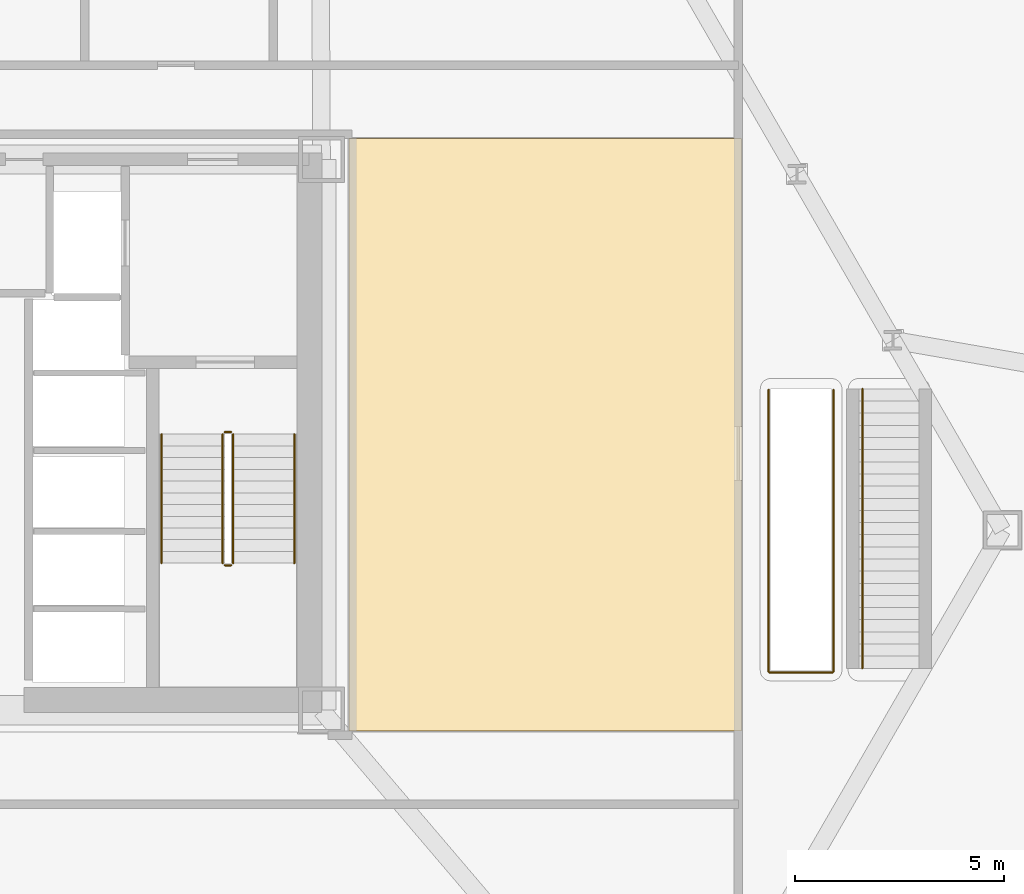
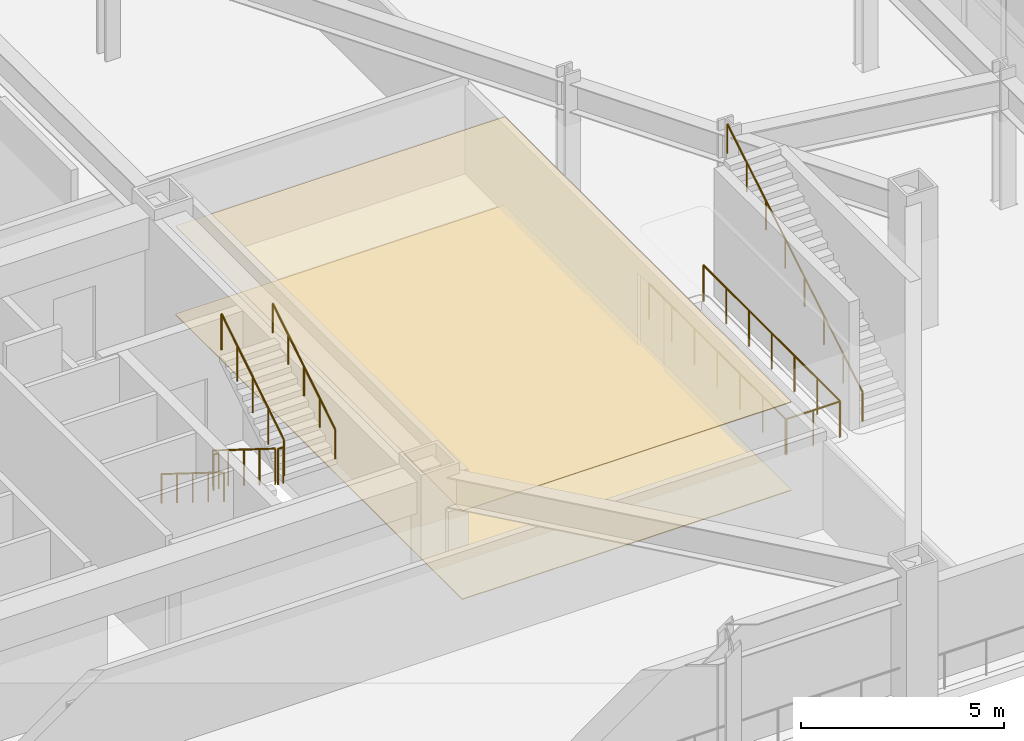
# One storey, part 20 of 22: 10 railings, 2 coverings.
"""IFC4 building model written with IfcOpenShell, lengths in metres."""

from ifc_helpers import new_model, si_unit, direction, frame, origin, origin_2d, place, context, subcontext, project, spatial, polyline, circle, outline, extrude, material, layer, layer_set, type_object, element, save


model = new_model("IFC4")

# Units and contexts
model_context = context("Model", 3, precision=1e-05, world=origin(), true_north=direction((0.0, 1.0)))
body_context = subcontext(model_context, "Body", "Model", "MODEL_VIEW")
ifc_project = project(units=[si_unit("LENGTHUNIT", "METRE"), si_unit("AREAUNIT", "SQUARE_METRE"), si_unit("VOLUMEUNIT", "CUBIC_METRE"), si_unit("PLANEANGLEUNIT", "RADIAN"), si_unit("MASSUNIT", "GRAM", prefix="KILO")], contexts=[model_context])

# Site, building, storey
site_placement = place(None, origin())
site = spatial("IfcSite", under=ifc_project, at=site_placement, CompositionType="ELEMENT")
building_placement = place(site_placement, origin())
building = spatial("IfcBuilding", under=site, at=building_placement, Name="Oramaril Tower", CompositionType="ELEMENT")
storey_placement = place(building_placement, frame((0.0, 0.0, 18.300048828125)))
storey = spatial("IfcBuildingStorey", under=building, at=storey_placement, Name="L04", CompositionType="ELEMENT", Elevation=18.300048828125)

# Coverings
ifc_material_1 = material(Name="Mineral Fibre Acoustic Ceiling")
ifc_layer_1 = layer(ifc_material_1, 0.02001953125)
ifc_layer_set_1 = layer_set([ifc_layer_1], Name="CVT-CEIL")
covering_type_1 = type_object("IfcCoveringType", Name="CVT-CEIL", PredefinedType="CEILING", material=ifc_layer_set_1)
covering_1_placement = place(storey_placement, frame((0.0, 0.0, 2.661865234375)))
element("IfcCovering", 1, at=covering_1_placement, inside=storey, type_object=covering_type_1, Name="L04 Acoustic Suspended Ceiling 4", PredefinedType="CEILING", context=body_context, shape_type="SweptSolid", body=[
    extrude(outline(polyline([(55.679931640625, 10.5), (46.300048828125, 10.5), (46.300048828125, 24.64990234375), (55.679931640625, 24.64990234375), (55.679931640625, 10.5)])), origin(), (0.0, 0.0, 1.0), 0.02001953125),
])
ifc_material_2 = material(Name="Honed Quartzite Stone Flooring", Category="masonry")
ifc_layer_2 = layer(ifc_material_2, 0.02490234375)
ifc_layer_set_2 = layer_set([ifc_layer_2], Name="CVT-FLR")
covering_type_2 = type_object("IfcCoveringType", Name="CVT-FLR", PredefinedType="FLOORING", material=ifc_layer_set_2)
covering_2_placement = place(storey_placement, origin())
element("IfcCovering", 2, at=covering_2_placement, inside=storey, type_object=covering_type_2, Name="L04 Honed Stone Floor Finish 4", PredefinedType="FLOORING", context=body_context, shape_type="SweptSolid", body=[
    extrude(outline(polyline([(55.679931640625, 10.5), (46.300048828125, 10.5), (46.300048828125, 24.64990234375), (55.679931640625, 24.64990234375), (55.679931640625, 10.5)])), origin(), (0.0, 0.0, 1.0), 0.02490234375),
])

# Railings
ifc_material_3 = material(Name="Stainless Steel 316L", Category="steel")
railing_type_1 = type_object("IfcRailingType", Name="RLT-GRD", PredefinedType="GUARDRAIL", material=ifc_material_3)
railing_1_placement = place(storey_placement, frame((43.2900390625, 17.590087890625, 0.175048828125)))
element("IfcRailing", 3, at=railing_1_placement, inside=storey, type_object=railing_type_1, Name="L04 ST-2 stair guard 1", PredefinedType="GUARDRAIL", context=body_context, shape_type="SweptSolid", body=[
    extrude(circle(Radius=0.02392578125, at=origin_2d()), frame((0.0, 0.0, 1.076171875), z_axis=(0.0, -0.848028513186, 0.529950602248), x_axis=(1.0, 0.0, 0.0)), (0.0, 0.0, 1.0), 3.632080078125),
    extrude(circle(Radius=0.02099609375, at=origin_2d()), origin(), (0.0, 0.0, 1.0), 1.052001953125),
    extrude(circle(Radius=0.02099609375, at=origin_2d()), frame((0.0, -0.77001953125, 0.481201171875)), (0.0, 0.0, 1.0), 1.052001953125),
    extrude(circle(Radius=0.02099609375, at=origin_2d()), frame((0.0, -1.5400390625, 0.96240234375)), (0.0, 0.0, 1.0), 1.052001953125),
    extrude(circle(Radius=0.02099609375, at=origin_2d()), frame((0.0, -2.31005859375, 1.443603515625)), (0.0, 0.0, 1.0), 1.052001953125),
    extrude(circle(Radius=0.02099609375, at=origin_2d()), frame((0.0, -3.080078125, 1.9248046875)), (0.0, 0.0, 1.0), 1.052001953125),
])
railing_2_placement = place(storey_placement, frame((43.340087890625, 14.4599609375, 2.099853515625)))
element("IfcRailing", 4, at=railing_2_placement, inside=storey, type_object=railing_type_1, Name="L04 ST-2 stair guard 2", PredefinedType="GUARDRAIL", context=body_context, shape_type="SweptSolid", body=[
    extrude(circle(Radius=0.02392578125, at=origin_2d()), frame((0.0, 0.0, 1.076171875), z_axis=(1.0, 0.0, 0.0), x_axis=(0.0, 1.0, 0.0)), (0.0, 0.0, 1.0), 0.14990234375),
    extrude(circle(Radius=0.02099609375, at=origin_2d()), origin(), (0.0, 0.0, 1.0), 1.052001953125),
    extrude(circle(Radius=0.02099609375, at=origin_2d()), frame((0.14990234375, 0.0, 0.0)), (0.0, 0.0, 1.0), 1.052001953125),
])
railing_3_placement = place(storey_placement, frame((43.5400390625, 14.510009765625, 2.27490234375)))
element("IfcRailing", 5, at=railing_3_placement, inside=storey, type_object=railing_type_1, Name="L04 ST-2 stair guard 3", PredefinedType="GUARDRAIL", context=body_context, shape_type="SweptSolid", body=[
    extrude(circle(Radius=0.02392578125, at=origin_2d()), frame((0.0, 0.0, 1.076171875), z_axis=(0.0, 0.847998304005, 0.529998940003), x_axis=(-1.0, 0.0, 0.0)), (0.0, 0.0, 1.0), 3.632080078125),
    extrude(circle(Radius=0.02099609375, at=origin_2d()), origin(), (0.0, 0.0, 1.0), 1.052001953125),
    extrude(circle(Radius=0.02099609375, at=origin_2d()), frame((0.0, 0.77001953125, 0.481201171875)), (0.0, 0.0, 1.0), 1.052001953125),
    extrude(circle(Radius=0.02099609375, at=origin_2d()), frame((0.0, 1.5400390625, 0.96240234375)), (0.0, 0.0, 1.0), 1.052001953125),
    extrude(circle(Radius=0.02099609375, at=origin_2d()), frame((0.0, 2.31005859375, 1.44384765625)), (0.0, 0.0, 1.0), 1.052001953125),
    extrude(circle(Radius=0.02099609375, at=origin_2d()), frame((0.0, 3.080078125, 1.925048828125)), (0.0, 0.0, 1.0), 1.052001953125),
])
railing_4_placement = place(storey_placement, frame((43.340087890625, 17.639892578125, 0.0)))
element("IfcRailing", 6, at=railing_4_placement, inside=storey, type_object=railing_type_1, Name="L04 ST-2 stair guard 4", PredefinedType="GUARDRAIL", context=body_context, shape_type="SweptSolid", body=[
    extrude(circle(Radius=0.02392578125, at=origin_2d()), frame((0.0, 0.0, 1.076171875), z_axis=(1.0, 0.0, 0.0), x_axis=(0.0, 1.0, 0.0)), (0.0, 0.0, 1.0), 0.14990234375),
    extrude(circle(Radius=0.02099609375, at=origin_2d()), origin(), (0.0, 0.0, 1.0), 1.052001953125),
    extrude(circle(Radius=0.02099609375, at=origin_2d()), frame((0.14990234375, 0.0, 0.0)), (0.0, 0.0, 1.0), 1.052001953125),
])
railing_5_placement = place(storey_placement, frame((56.324951171875, 18.6494140625, 0.0)))
element("IfcRailing", 7, at=railing_5_placement, inside=storey, type_object=railing_type_1, Name="L04 ST-6 Well Guard 1", PredefinedType="GUARDRAIL", context=body_context, shape_type="SweptSolid", body=[
    extrude(circle(Radius=0.02392578125, at=origin_2d()), frame((0.0, 0.0, 1.076171875), z_axis=(0.0, -1.0, 0.0), x_axis=(1.0, 0.0, 0.0)), (0.0, 0.0, 1.0), 6.7294921875),
    extrude(circle(Radius=0.02099609375, at=origin_2d()), origin(), (0.0, 0.0, 1.0), 1.052001953125),
    extrude(circle(Radius=0.02099609375, at=origin_2d()), frame((0.0, -1.12158203125, 0.0)), (0.0, 0.0, 1.0), 1.052001953125),
    extrude(circle(Radius=0.02099609375, at=origin_2d()), frame((0.0, -2.2431640625, 0.0)), (0.0, 0.0, 1.0), 1.052001953125),
    extrude(circle(Radius=0.02099609375, at=origin_2d()), frame((0.0, -3.36474609375, 0.0)), (0.0, 0.0, 1.0), 1.052001953125),
    extrude(circle(Radius=0.02099609375, at=origin_2d()), frame((0.0, -4.486328125, 0.0)), (0.0, 0.0, 1.0), 1.052001953125),
    extrude(circle(Radius=0.02099609375, at=origin_2d()), frame((0.0, -5.60791015625, 0.0)), (0.0, 0.0, 1.0), 1.052001953125),
    extrude(circle(Radius=0.02099609375, at=origin_2d()), frame((0.0, -6.7294921875, 0.0)), (0.0, 0.0, 1.0), 1.052001953125),
])
railing_6_placement = place(storey_placement, frame((56.344970703125, 11.89990234375, 0.0)))
element("IfcRailing", 8, at=railing_6_placement, inside=storey, type_object=railing_type_1, Name="L04 ST-6 Well Guard 2", PredefinedType="GUARDRAIL", context=body_context, shape_type="SweptSolid", body=[
    extrude(circle(Radius=0.02392578125, at=origin_2d()), frame((0.0, 0.0, 1.076171875), z_axis=(1.0, 0.0, 0.0), x_axis=(0.0, 1.0, 0.0)), (0.0, 0.0, 1.0), 1.510009765625),
    extrude(circle(Radius=0.02099609375, at=origin_2d()), origin(), (0.0, 0.0, 1.0), 1.052001953125),
    extrude(circle(Radius=0.02099609375, at=origin_2d()), frame((0.7548828125, 0.0, 0.0)), (0.0, 0.0, 1.0), 1.052001953125),
    extrude(circle(Radius=0.02099609375, at=origin_2d()), frame((1.510009765625, 0.0, 0.0)), (0.0, 0.0, 1.0), 1.052001953125),
])
railing_7_placement = place(storey_placement, frame((57.875, 11.919921875, 0.0)))
element("IfcRailing", 9, at=railing_7_placement, inside=storey, type_object=railing_type_1, Name="L04 ST-6 Well Guard 3", PredefinedType="GUARDRAIL", context=body_context, shape_type="SweptSolid", body=[
    extrude(circle(Radius=0.02392578125, at=origin_2d()), frame((0.0, 0.0, 1.076171875), z_axis=(0.0, 1.0, 0.0), x_axis=(-1.0, 0.0, 0.0)), (0.0, 0.0, 1.0), 6.7294921875),
    extrude(circle(Radius=0.02099609375, at=origin_2d()), origin(), (0.0, 0.0, 1.0), 1.052001953125),
    extrude(circle(Radius=0.02099609375, at=origin_2d()), frame((0.0, 1.12158203125, 0.0)), (0.0, 0.0, 1.0), 1.052001953125),
    extrude(circle(Radius=0.02099609375, at=origin_2d()), frame((0.0, 2.2431640625, 0.0)), (0.0, 0.0, 1.0), 1.052001953125),
    extrude(circle(Radius=0.02099609375, at=origin_2d()), frame((0.0, 3.36474609375, 0.0)), (0.0, 0.0, 1.0), 1.052001953125),
    extrude(circle(Radius=0.02099609375, at=origin_2d()), frame((0.0, 4.486328125, 0.0)), (0.0, 0.0, 1.0), 1.052001953125),
    extrude(circle(Radius=0.02099609375, at=origin_2d()), frame((0.0, 5.60791015625, 0.0)), (0.0, 0.0, 1.0), 1.052001953125),
    extrude(circle(Radius=0.02099609375, at=origin_2d()), frame((0.0, 6.7294921875, 0.0)), (0.0, 0.0, 1.0), 1.052001953125),
])
ifc_material_4 = material(Name="Stainless Steel 316L", Category="steel")
railing_type_2 = type_object("IfcRailingType", Name="RLT-HND", PredefinedType="HANDRAIL", material=ifc_material_4)
railing_8_placement = place(storey_placement, frame((41.830078125, 17.590087890625, 0.175048828125)))
element("IfcRailing", 10, at=railing_8_placement, inside=storey, type_object=railing_type_2, Name="L04 ST-2 stair handrail 1", PredefinedType="HANDRAIL", context=body_context, shape_type="SweptSolid", body=[
    extrude(circle(Radius=0.02392578125, at=origin_2d()), frame((0.0, 0.0, 0.8759765625), z_axis=(0.0, -0.848028513186, 0.529950602248), x_axis=(1.0, 0.0, 0.0)), (0.0, 0.0, 1.0), 3.632080078125),
    extrude(circle(Radius=0.02099609375, at=origin_2d()), origin(), (0.0, 0.0, 1.0), 0.851806640625),
    extrude(circle(Radius=0.02099609375, at=origin_2d()), frame((0.0, -0.77001953125, 0.481201171875)), (0.0, 0.0, 1.0), 0.851806640625),
    extrude(circle(Radius=0.02099609375, at=origin_2d()), frame((0.0, -1.5400390625, 0.96240234375)), (0.0, 0.0, 1.0), 0.851806640625),
    extrude(circle(Radius=0.02099609375, at=origin_2d()), frame((0.0, -2.31005859375, 1.443603515625)), (0.0, 0.0, 1.0), 0.851806640625),
    extrude(circle(Radius=0.02099609375, at=origin_2d()), frame((0.0, -3.080078125, 1.9248046875)), (0.0, 0.0, 1.0), 0.851806640625),
])
railing_9_placement = place(storey_placement, frame((45.0, 14.510009765625, 2.27490234375)))
element("IfcRailing", 11, at=railing_9_placement, inside=storey, type_object=railing_type_2, Name="L04 ST-2 stair handrail 2", PredefinedType="HANDRAIL", context=body_context, shape_type="SweptSolid", body=[
    extrude(circle(Radius=0.02392578125, at=origin_2d()), frame((0.0, 0.0, 0.8759765625), z_axis=(0.0, 0.847998304005, 0.529998940003), x_axis=(-1.0, 0.0, 0.0)), (0.0, 0.0, 1.0), 3.632080078125),
    extrude(circle(Radius=0.02099609375, at=origin_2d()), origin(), (0.0, 0.0, 1.0), 0.851806640625),
    extrude(circle(Radius=0.02099609375, at=origin_2d()), frame((0.0, 0.77001953125, 0.481201171875)), (0.0, 0.0, 1.0), 0.851806640625),
    extrude(circle(Radius=0.02099609375, at=origin_2d()), frame((0.0, 1.5400390625, 0.96240234375)), (0.0, 0.0, 1.0), 0.851806640625),
    extrude(circle(Radius=0.02099609375, at=origin_2d()), frame((0.0, 2.31005859375, 1.44384765625)), (0.0, 0.0, 1.0), 0.851806640625),
    extrude(circle(Radius=0.02099609375, at=origin_2d()), frame((0.0, 3.080078125, 1.925048828125)), (0.0, 0.0, 1.0), 0.851806640625),
])
railing_10_placement = place(storey_placement, frame((58.56494140625, 12.0, 0.175048828125)))
element("IfcRailing", 12, at=railing_10_placement, inside=storey, type_object=railing_type_2, Name="L04 ST-7 Pitch Handrail", PredefinedType="HANDRAIL", context=body_context, shape_type="SweptSolid", body=[
    extrude(circle(Radius=0.02392578125, at=origin_2d()), frame((0.0, 0.0, 0.8759765625), z_axis=(0.0, 0.856190529329, 0.516660214733), x_axis=(-1.0, 0.0, 0.0)), (0.0, 0.0, 1.0), 7.790283203125),
    extrude(circle(Radius=0.02099609375, at=origin_2d()), origin(), (0.0, 0.0, 1.0), 0.851806640625),
    extrude(circle(Radius=0.02099609375, at=origin_2d()), frame((0.0, 0.952880859375, 0.574951171875)), (0.0, 0.0, 1.0), 0.851806640625),
    extrude(circle(Radius=0.02099609375, at=origin_2d()), frame((0.0, 1.90576171875, 1.14990234375)), (0.0, 0.0, 1.0), 0.851806640625),
    extrude(circle(Radius=0.02099609375, at=origin_2d()), frame((0.0, 2.858642578125, 1.724853515625)), (0.0, 0.0, 1.0), 0.851806640625),
    extrude(circle(Radius=0.02099609375, at=origin_2d()), frame((0.0, 3.811279296875, 2.300048828125)), (0.0, 0.0, 1.0), 0.851806640625),
    extrude(circle(Radius=0.02099609375, at=origin_2d()), frame((0.0, 4.76416015625, 2.875)), (0.0, 0.0, 1.0), 0.851806640625),
    extrude(circle(Radius=0.02099609375, at=origin_2d()), frame((0.0, 5.717041015625, 3.449951171875)), (0.0, 0.0, 1.0), 0.851806640625),
    extrude(circle(Radius=0.02099609375, at=origin_2d()), frame((0.0, 6.669921875, 4.02490234375)), (0.0, 0.0, 1.0), 0.851806640625),
])

save(model, "model.ifc")
